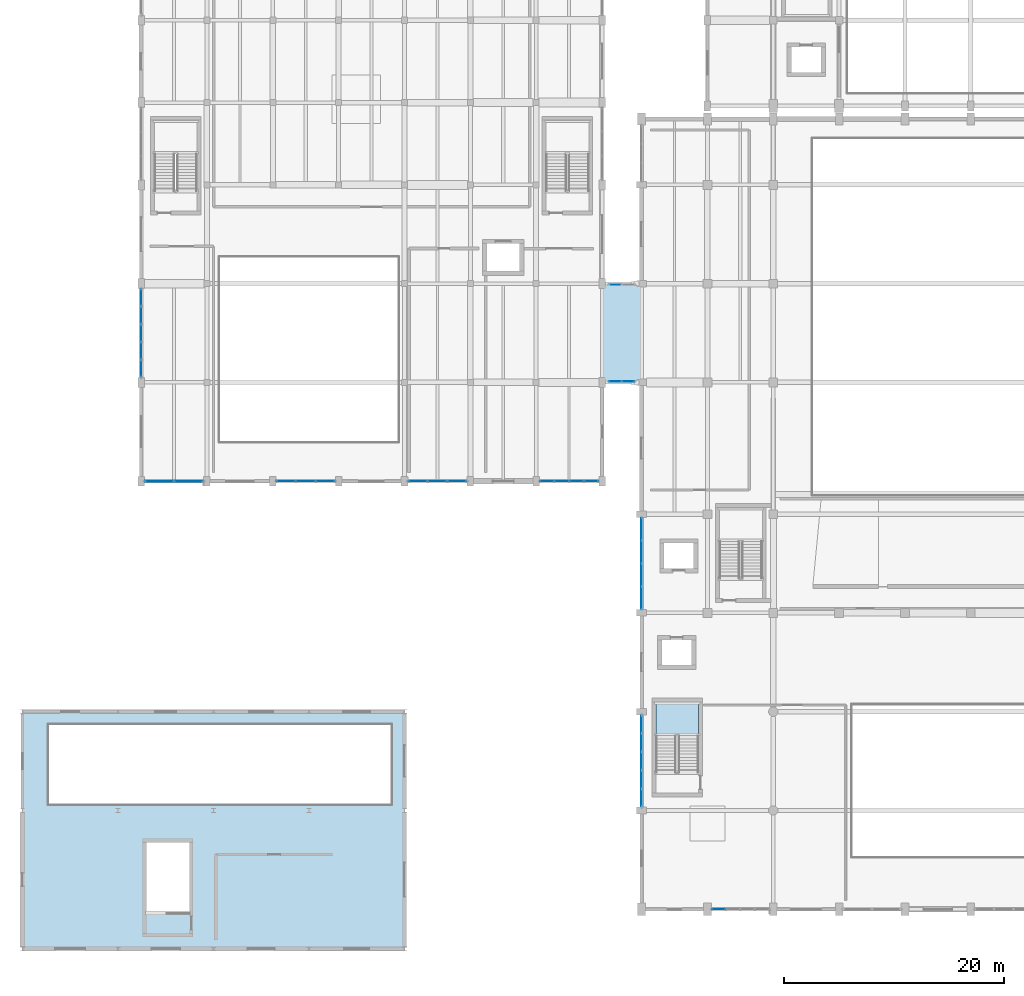
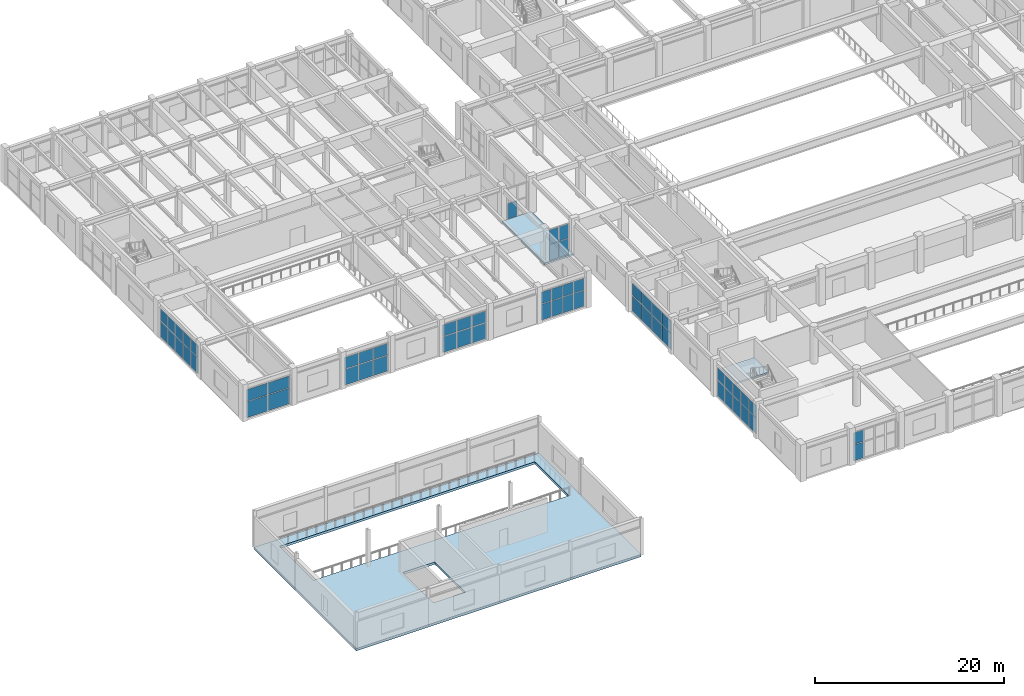
# One storey, part 61 of 96: 59 plates, 3 slabs, 11 elements without a shape of their own.
"""IFC4 building model written with IfcOpenShell, lengths in metres."""

from ifc_helpers import new_model, si_unit, direction, frame, origin, origin_2d, place, context, subcontext, project, spatial, polyline, rectangle, outline, extrude, material, layer, layer_set, type_object, element, aggregate, save


model = new_model("IFC4")

# Units and contexts
model_context = context("Model", 3, precision=1e-05, world=origin(), true_north=direction((0.0, 1.0)))
body_context = subcontext(model_context, "Body", "Model", "MODEL_VIEW")
ifc_project = project(units=[si_unit("LENGTHUNIT", "METRE"), si_unit("AREAUNIT", "SQUARE_METRE"), si_unit("VOLUMEUNIT", "CUBIC_METRE"), si_unit("PLANEANGLEUNIT", "RADIAN"), si_unit("MASSUNIT", "GRAM", prefix="KILO")], contexts=[model_context])

# Site, building, storey
site_placement = place(None, origin())
site = spatial("IfcSite", under=ifc_project, at=site_placement, CompositionType="ELEMENT")
building_placement = place(site_placement, origin())
building = spatial("IfcBuilding", under=site, at=building_placement, Name="Vaelkrest Opera House", CompositionType="ELEMENT")
storey_placement = place(building_placement, frame((0.0, 0.0, 5.39990234375)))
storey = spatial("IfcBuildingStorey", under=building, at=storey_placement, Name="L01", CompositionType="ELEMENT", Elevation=5.39990234375)

# Curtain wall, plates
ifc_material_1 = material(Name="Dark bronze anodized aluminium", Category="aluminium")
ifc_layer_1 = layer(ifc_material_1, 0.18994140625)
ifc_layer_set_1 = layer_set([ifc_layer_1], Name="Dark bronze anodized aluminium")
curtain_wall_type_1 = type_object("IfcCurtainWallType", Name="CW02", PredefinedType="NOTDEFINED", material=ifc_layer_set_1)
curtain_wall_1_placement = place(storey_placement, origin())
curtain_wall_1 = element("IfcCurtainWall", 1, at=curtain_wall_1_placement, inside=storey, type_object=curtain_wall_type_1, Name="Curtain wall CW-L01-024", PredefinedType="NOTDEFINED")
ifc_material_2 = material(Name="Double low-E insulated glazing", Category="glass")
ifc_layer_2 = layer(ifc_material_2, 0.030029296875)
ifc_layer_set_2 = layer_set([ifc_layer_2], Name="Double low-E insulated glazing")
plate_type_1 = type_object("IfcPlateType", Name="CWP02", PredefinedType="CURTAIN_PANEL", material=ifc_layer_set_2)
plate_1_placement = place(storey_placement, frame((-22.971435546875, -55.800048828125, 0.070068359375), z_axis=(0.0, 0.0, 1.0), x_axis=(-1.0, 0.0, 0.0)))
plate_1 = element("IfcPlate", 2, at=plate_1_placement, type_object=plate_type_1, Name="CW02 panel 4.1", PredefinedType="CURTAIN_PANEL", context=body_context, shape_type="SweptSolid", body=[
    extrude(rectangle(XDim=1.220947265625, YDim=0.030029296875, at=origin_2d()), origin(), (0.0, 0.0, 1.0), 2.044921875),
])
plate_2_placement = place(storey_placement, frame((-22.971435546875, -55.800048828125, 2.18505859375), z_axis=(0.0, 0.0, 1.0), x_axis=(-1.0, 0.0, 0.0)))
plate_2 = element("IfcPlate", 3, at=plate_2_placement, type_object=plate_type_1, Name="CW02 panel 4.2", PredefinedType="CURTAIN_PANEL", context=body_context, shape_type="SweptSolid", body=[
    extrude(rectangle(XDim=1.220947265625, YDim=0.030029296875, at=origin_2d()), origin(), (0.0, 0.0, 1.0), 1.485107421875),
])
aggregate(curtain_wall_1, [plate_1, plate_2])

curtain_wall_2_placement = place(storey_placement, origin())
curtain_wall_2 = element("IfcCurtainWall", 4, at=curtain_wall_2_placement, inside=storey, type_object=curtain_wall_type_1, Name="Curtain wall CW-L01-099", PredefinedType="NOTDEFINED")
plate_3_placement = place(storey_placement, frame((-34.591064453125, -16.800048828125, 0.070068359375), z_axis=(0.0, 0.0, 1.0), x_axis=(-1.0, 0.0, 0.0)))
plate_3 = element("IfcPlate", 5, at=plate_3_placement, type_object=plate_type_1, Name="CW02 panel 1.1", PredefinedType="CURTAIN_PANEL", context=body_context, shape_type="SweptSolid", body=[
    extrude(rectangle(XDim=1.24609375, YDim=0.030029296875, at=origin_2d()), origin(), (0.0, 0.0, 1.0), 2.044921875),
])
plate_4_placement = place(storey_placement, frame((-34.591064453125, -16.800048828125, 2.18505859375), z_axis=(0.0, 0.0, 1.0), x_axis=(-1.0, 0.0, 0.0)))
plate_4 = element("IfcPlate", 6, at=plate_4_placement, type_object=plate_type_1, Name="CW02 panel 1.2", PredefinedType="CURTAIN_PANEL", context=body_context, shape_type="SweptSolid", body=[
    extrude(rectangle(XDim=1.24609375, YDim=0.030029296875, at=origin_2d()), origin(), (0.0, 0.0, 1.0), 1.485107421875),
])
plate_5_placement = place(storey_placement, frame((-35.924560546875, -16.800048828125, 0.070068359375), z_axis=(0.0, 0.0, 1.0), x_axis=(-1.0, 0.0, 0.0)))
plate_5 = element("IfcPlate", 7, at=plate_5_placement, type_object=plate_type_1, Name="CW02 panel 2.1", PredefinedType="CURTAIN_PANEL", context=body_context, shape_type="SweptSolid", body=[
    extrude(rectangle(XDim=1.281005859375, YDim=0.030029296875, at=origin_2d()), origin(), (0.0, 0.0, 1.0), 2.044921875),
])
plate_6_placement = place(storey_placement, frame((-35.924560546875, -16.800048828125, 2.18505859375), z_axis=(0.0, 0.0, 1.0), x_axis=(-1.0, 0.0, 0.0)))
plate_6 = element("IfcPlate", 8, at=plate_6_placement, type_object=plate_type_1, Name="CW02 panel 2.2", PredefinedType="CURTAIN_PANEL", context=body_context, shape_type="SweptSolid", body=[
    extrude(rectangle(XDim=1.281005859375, YDim=0.030029296875, at=origin_2d()), origin(), (0.0, 0.0, 1.0), 1.485107421875),
])
plate_7_placement = place(storey_placement, frame((-37.275390625, -16.800048828125, 0.070068359375), z_axis=(0.0, 0.0, 1.0), x_axis=(-1.0, 0.0, 0.0)))
plate_7 = element("IfcPlate", 9, at=plate_7_placement, type_object=plate_type_1, Name="CW02 panel 3.1", PredefinedType="CURTAIN_PANEL", context=body_context, shape_type="SweptSolid", body=[
    extrude(rectangle(XDim=1.281005859375, YDim=0.030029296875, at=origin_2d()), origin(), (0.0, 0.0, 1.0), 2.044921875),
])
plate_8_placement = place(storey_placement, frame((-37.275390625, -16.800048828125, 2.18505859375), z_axis=(0.0, 0.0, 1.0), x_axis=(-1.0, 0.0, 0.0)))
plate_8 = element("IfcPlate", 10, at=plate_8_placement, type_object=plate_type_1, Name="CW02 panel 3.2", PredefinedType="CURTAIN_PANEL", context=body_context, shape_type="SweptSolid", body=[
    extrude(rectangle(XDim=1.281005859375, YDim=0.030029296875, at=origin_2d()), origin(), (0.0, 0.0, 1.0), 1.485107421875),
])
plate_9_placement = place(storey_placement, frame((-38.60888671875, -16.800048828125, 0.070068359375), z_axis=(0.0, 0.0, 1.0), x_axis=(-1.0, 0.0, 0.0)))
plate_9 = element("IfcPlate", 11, at=plate_9_placement, type_object=plate_type_1, Name="CW02 panel 4.1", PredefinedType="CURTAIN_PANEL", context=body_context, shape_type="SweptSolid", body=[
    extrude(rectangle(XDim=1.24609375, YDim=0.030029296875, at=origin_2d()), origin(), (0.0, 0.0, 1.0), 2.044921875),
])
plate_10_placement = place(storey_placement, frame((-38.60888671875, -16.800048828125, 2.18505859375), z_axis=(0.0, 0.0, 1.0), x_axis=(-1.0, 0.0, 0.0)))
plate_10 = element("IfcPlate", 12, at=plate_10_placement, type_object=plate_type_1, Name="CW02 panel 4.2", PredefinedType="CURTAIN_PANEL", context=body_context, shape_type="SweptSolid", body=[
    extrude(rectangle(XDim=1.24609375, YDim=0.030029296875, at=origin_2d()), origin(), (0.0, 0.0, 1.0), 1.485107421875),
])
aggregate(curtain_wall_2, [plate_3, plate_4, plate_5, plate_6, plate_7, plate_8, plate_9, plate_10])

curtain_wall_3_placement = place(storey_placement, origin())
curtain_wall_3 = element("IfcCurtainWall", 13, at=curtain_wall_3_placement, inside=storey, type_object=curtain_wall_type_1, Name="Curtain wall CW-L01-176", PredefinedType="NOTDEFINED")
plate_11_placement = place(storey_placement, frame((-31.20751953125, -7.699951171875, 0.070068359375), z_axis=(0.0, 0.0, 1.0), x_axis=(-1.0, 0.0, 0.0)))
plate_11 = element("IfcPlate", 14, at=plate_11_placement, type_object=plate_type_1, Name="CW02 panel 1.1", PredefinedType="CURTAIN_PANEL", context=body_context, shape_type="SweptSolid", body=[
    extrude(rectangle(XDim=1.114990234375, YDim=0.030029296875, at=origin_2d()), origin(), (0.0, 0.0, 1.0), 2.044921875),
])
plate_12_placement = place(storey_placement, frame((-31.20751953125, -7.699951171875, 2.18505859375), z_axis=(0.0, 0.0, 1.0), x_axis=(-1.0, 0.0, 0.0)))
plate_12 = element("IfcPlate", 15, at=plate_12_placement, type_object=plate_type_1, Name="CW02 panel 1.2", PredefinedType="CURTAIN_PANEL", context=body_context, shape_type="SweptSolid", body=[
    extrude(rectangle(XDim=1.114990234375, YDim=0.030029296875, at=origin_2d()), origin(), (0.0, 0.0, 1.0), 1.824951171875),
])
plate_13_placement = place(storey_placement, frame((-32.392578125, -7.699951171875, 0.070068359375), z_axis=(0.0, 0.0, 1.0), x_axis=(-1.0, 0.0, 0.0)))
plate_13 = element("IfcPlate", 16, at=plate_13_placement, type_object=plate_type_1, Name="CW02 panel 2.1", PredefinedType="CURTAIN_PANEL", context=body_context, shape_type="SweptSolid", body=[
    extrude(rectangle(XDim=1.114990234375, YDim=0.030029296875, at=origin_2d()), origin(), (0.0, 0.0, 1.0), 2.044921875),
])
plate_14_placement = place(storey_placement, frame((-32.392578125, -7.699951171875, 2.18505859375), z_axis=(0.0, 0.0, 1.0), x_axis=(-1.0, 0.0, 0.0)))
plate_14 = element("IfcPlate", 17, at=plate_14_placement, type_object=plate_type_1, Name="CW02 panel 2.2", PredefinedType="CURTAIN_PANEL", context=body_context, shape_type="SweptSolid", body=[
    extrude(rectangle(XDim=1.114990234375, YDim=0.030029296875, at=origin_2d()), origin(), (0.0, 0.0, 1.0), 1.824951171875),
])
aggregate(curtain_wall_3, [plate_11, plate_12, plate_13, plate_14])

# Curtain wall, plate
curtain_wall_4_placement = place(storey_placement, origin())
curtain_wall_4 = element("IfcCurtainWall", 18, at=curtain_wall_4_placement, inside=storey, type_object=curtain_wall_type_1, Name="Curtain wall CW-L01-177", PredefinedType="NOTDEFINED")
plate_15_placement = place(storey_placement, frame((-32.392578125, 1.10009765625, 0.070068359375), z_axis=(0.0, 0.0, 1.0), x_axis=(1.0, 0.0, 0.0)))
plate_15 = element("IfcPlate", 19, at=plate_15_placement, type_object=plate_type_1, Name="CW02 panel 1.1", PredefinedType="CURTAIN_PANEL", context=body_context, shape_type="SweptSolid", body=[
    extrude(rectangle(XDim=1.114990234375, YDim=0.030029296875, at=origin_2d()), origin(), (0.0, 0.0, 1.0), 2.044921875),
])
aggregate(curtain_wall_4, [plate_15])

# Curtain wall, plates
ifc_layer_3 = layer(ifc_material_1, 0.2099609375)
ifc_layer_set_3 = layer_set([ifc_layer_3], Name="Dark bronze anodized aluminium")
curtain_wall_type_2 = type_object("IfcCurtainWallType", Name="CW04", PredefinedType="NOTDEFINED", material=ifc_layer_set_3)
curtain_wall_5_placement = place(storey_placement, origin())
curtain_wall_5 = element("IfcCurtainWall", 20, at=curtain_wall_5_placement, inside=storey, type_object=curtain_wall_type_2, Name="Curtain wall CW-L01-025", PredefinedType="NOTDEFINED")
ifc_layer_4 = layer(ifc_material_2, 0.0380859375)
ifc_layer_set_4 = layer_set([ifc_layer_4], Name="Double low-E insulated glazing")
plate_type_2 = type_object("IfcPlateType", Name="CWP04", PredefinedType="CURTAIN_PANEL", material=ifc_layer_set_4)
plate_16_placement = place(storey_placement, frame((-30.0, -45.6416015625, 0.080078125), z_axis=(0.0, 0.0, 1.0), x_axis=(0.0, 1.0, 0.0)))
plate_16 = element("IfcPlate", 21, at=plate_16_placement, type_object=plate_type_2, Name="CW04 panel 1.1", PredefinedType="CURTAIN_PANEL", context=body_context, shape_type="SweptSolid", body=[
    extrude(rectangle(XDim=1.560791015625, YDim=0.0380859375, at=origin_2d()), origin(), (0.0, 0.0, 1.0), 2.030029296875),
])
plate_17_placement = place(storey_placement, frame((-30.0, -45.6416015625, 2.18994140625), z_axis=(0.0, 0.0, 1.0), x_axis=(0.0, 1.0, 0.0)))
plate_17 = element("IfcPlate", 22, at=plate_17_placement, type_object=plate_type_2, Name="CW04 panel 1.2", PredefinedType="CURTAIN_PANEL", context=body_context, shape_type="SweptSolid", body=[
    extrude(rectangle(XDim=1.560791015625, YDim=0.0380859375, at=origin_2d()), origin(), (0.0, 0.0, 1.0), 1.553955078125),
])
plate_18_placement = place(storey_placement, frame((-30.0, -43.980712890625, 0.080078125), z_axis=(0.0, 0.0, 1.0), x_axis=(0.0, 1.0, 0.0)))
plate_18 = element("IfcPlate", 23, at=plate_18_placement, type_object=plate_type_2, Name="CW04 panel 2.1", PredefinedType="CURTAIN_PANEL", context=body_context, shape_type="SweptSolid", body=[
    extrude(rectangle(XDim=1.600830078125, YDim=0.0380859375, at=origin_2d()), origin(), (0.0, 0.0, 1.0), 2.030029296875),
])
plate_19_placement = place(storey_placement, frame((-30.0, -43.980712890625, 2.18994140625), z_axis=(0.0, 0.0, 1.0), x_axis=(0.0, 1.0, 0.0)))
plate_19 = element("IfcPlate", 24, at=plate_19_placement, type_object=plate_type_2, Name="CW04 panel 2.2", PredefinedType="CURTAIN_PANEL", context=body_context, shape_type="SweptSolid", body=[
    extrude(rectangle(XDim=1.600830078125, YDim=0.0380859375, at=origin_2d()), origin(), (0.0, 0.0, 1.0), 1.553955078125),
])
plate_20_placement = place(storey_placement, frame((-30.0, -42.300048828125, 0.080078125), z_axis=(0.0, 0.0, 1.0), x_axis=(0.0, 1.0, 0.0)))
plate_20 = element("IfcPlate", 25, at=plate_20_placement, type_object=plate_type_2, Name="CW04 panel 3.1", PredefinedType="CURTAIN_PANEL", context=body_context, shape_type="SweptSolid", body=[
    extrude(rectangle(XDim=1.600830078125, YDim=0.0380859375, at=origin_2d()), origin(), (0.0, 0.0, 1.0), 2.030029296875),
])
plate_21_placement = place(storey_placement, frame((-30.0, -42.300048828125, 2.18994140625), z_axis=(0.0, 0.0, 1.0), x_axis=(0.0, 1.0, 0.0)))
plate_21 = element("IfcPlate", 26, at=plate_21_placement, type_object=plate_type_2, Name="CW04 panel 3.2", PredefinedType="CURTAIN_PANEL", context=body_context, shape_type="SweptSolid", body=[
    extrude(rectangle(XDim=1.600830078125, YDim=0.0380859375, at=origin_2d()), origin(), (0.0, 0.0, 1.0), 1.553955078125),
])
plate_22_placement = place(storey_placement, frame((-30.0, -40.619140625, 0.080078125), z_axis=(0.0, 0.0, 1.0), x_axis=(0.0, 1.0, 0.0)))
plate_22 = element("IfcPlate", 27, at=plate_22_placement, type_object=plate_type_2, Name="CW04 panel 4.1", PredefinedType="CURTAIN_PANEL", context=body_context, shape_type="SweptSolid", body=[
    extrude(rectangle(XDim=1.600830078125, YDim=0.0380859375, at=origin_2d()), origin(), (0.0, 0.0, 1.0), 2.030029296875),
])
plate_23_placement = place(storey_placement, frame((-30.0, -40.619140625, 2.18994140625), z_axis=(0.0, 0.0, 1.0), x_axis=(0.0, 1.0, 0.0)))
plate_23 = element("IfcPlate", 28, at=plate_23_placement, type_object=plate_type_2, Name="CW04 panel 4.2", PredefinedType="CURTAIN_PANEL", context=body_context, shape_type="SweptSolid", body=[
    extrude(rectangle(XDim=1.600830078125, YDim=0.0380859375, at=origin_2d()), origin(), (0.0, 0.0, 1.0), 1.553955078125),
])
plate_24_placement = place(storey_placement, frame((-30.0, -38.95849609375, 0.080078125), z_axis=(0.0, 0.0, 1.0), x_axis=(0.0, 1.0, 0.0)))
plate_24 = element("IfcPlate", 29, at=plate_24_placement, type_object=plate_type_2, Name="CW04 panel 5.1", PredefinedType="CURTAIN_PANEL", context=body_context, shape_type="SweptSolid", body=[
    extrude(rectangle(XDim=1.560791015625, YDim=0.0380859375, at=origin_2d()), origin(), (0.0, 0.0, 1.0), 2.030029296875),
])
plate_25_placement = place(storey_placement, frame((-30.0, -38.95849609375, 2.18994140625), z_axis=(0.0, 0.0, 1.0), x_axis=(0.0, 1.0, 0.0)))
plate_25 = element("IfcPlate", 30, at=plate_25_placement, type_object=plate_type_2, Name="CW04 panel 5.2", PredefinedType="CURTAIN_PANEL", context=body_context, shape_type="SweptSolid", body=[
    extrude(rectangle(XDim=1.560791015625, YDim=0.0380859375, at=origin_2d()), origin(), (0.0, 0.0, 1.0), 1.553955078125),
])
aggregate(curtain_wall_5, [plate_16, plate_17, plate_18, plate_19, plate_20, plate_21, plate_22, plate_23, plate_24, plate_25])

curtain_wall_6_placement = place(storey_placement, origin())
curtain_wall_6 = element("IfcCurtainWall", 31, at=curtain_wall_6_placement, inside=storey, type_object=curtain_wall_type_2, Name="Curtain wall CW-L01-100", PredefinedType="NOTDEFINED")
plate_26_placement = place(storey_placement, frame((-46.818603515625, -16.800048828125, 0.080078125), z_axis=(0.0, 0.0, 1.0), x_axis=(-1.0, 0.0, 0.0)))
plate_26 = element("IfcPlate", 32, at=plate_26_placement, type_object=plate_type_2, Name="CW04 panel 1.1", PredefinedType="CURTAIN_PANEL", context=body_context, shape_type="SweptSolid", body=[
    extrude(rectangle(XDim=1.681396484375, YDim=0.0380859375, at=origin_2d()), origin(), (0.0, 0.0, 1.0), 2.030029296875),
])
plate_27_placement = place(storey_placement, frame((-46.818603515625, -16.800048828125, 2.18994140625), z_axis=(0.0, 0.0, 1.0), x_axis=(-1.0, 0.0, 0.0)))
plate_27 = element("IfcPlate", 33, at=plate_27_placement, type_object=plate_type_2, Name="CW04 panel 1.2", PredefinedType="CURTAIN_PANEL", context=body_context, shape_type="SweptSolid", body=[
    extrude(rectangle(XDim=1.681396484375, YDim=0.0380859375, at=origin_2d()), origin(), (0.0, 0.0, 1.0), 1.469970703125),
])
plate_28_placement = place(storey_placement, frame((-48.60009765625, -16.800048828125, 0.080078125), z_axis=(0.0, 0.0, 1.0), x_axis=(-1.0, 0.0, 0.0)))
plate_28 = element("IfcPlate", 34, at=plate_28_placement, type_object=plate_type_2, Name="CW04 panel 2.1", PredefinedType="CURTAIN_PANEL", context=body_context, shape_type="SweptSolid", body=[
    extrude(rectangle(XDim=1.721435546875, YDim=0.0380859375, at=origin_2d()), origin(), (0.0, 0.0, 1.0), 2.030029296875),
])
plate_29_placement = place(storey_placement, frame((-48.60009765625, -16.800048828125, 2.18994140625), z_axis=(0.0, 0.0, 1.0), x_axis=(-1.0, 0.0, 0.0)))
plate_29 = element("IfcPlate", 35, at=plate_29_placement, type_object=plate_type_2, Name="CW04 panel 2.2", PredefinedType="CURTAIN_PANEL", context=body_context, shape_type="SweptSolid", body=[
    extrude(rectangle(XDim=1.721435546875, YDim=0.0380859375, at=origin_2d()), origin(), (0.0, 0.0, 1.0), 1.469970703125),
])
plate_30_placement = place(storey_placement, frame((-50.38134765625, -16.800048828125, 0.080078125), z_axis=(0.0, 0.0, 1.0), x_axis=(-1.0, 0.0, 0.0)))
plate_30 = element("IfcPlate", 36, at=plate_30_placement, type_object=plate_type_2, Name="CW04 panel 3.1", PredefinedType="CURTAIN_PANEL", context=body_context, shape_type="SweptSolid", body=[
    extrude(rectangle(XDim=1.681396484375, YDim=0.0380859375, at=origin_2d()), origin(), (0.0, 0.0, 1.0), 2.030029296875),
])
plate_31_placement = place(storey_placement, frame((-50.38134765625, -16.800048828125, 2.18994140625), z_axis=(0.0, 0.0, 1.0), x_axis=(-1.0, 0.0, 0.0)))
plate_31 = element("IfcPlate", 37, at=plate_31_placement, type_object=plate_type_2, Name="CW04 panel 3.2", PredefinedType="CURTAIN_PANEL", context=body_context, shape_type="SweptSolid", body=[
    extrude(rectangle(XDim=1.681396484375, YDim=0.0380859375, at=origin_2d()), origin(), (0.0, 0.0, 1.0), 1.469970703125),
])
aggregate(curtain_wall_6, [plate_26, plate_27, plate_28, plate_29, plate_30, plate_31])

curtain_wall_7_placement = place(storey_placement, origin())
curtain_wall_7 = element("IfcCurtainWall", 38, at=curtain_wall_7_placement, inside=storey, type_object=curtain_wall_type_2, Name="Curtain wall CW-L01-103", PredefinedType="NOTDEFINED")
plate_32_placement = place(storey_placement, frame((-75.60009765625, -6.521484375, 0.080078125), z_axis=(0.0, 0.0, 1.0), x_axis=(0.0, 1.0, 0.0)))
plate_32 = element("IfcPlate", 39, at=plate_32_placement, type_object=plate_type_2, Name="CW04 panel 1.1", PredefinedType="CURTAIN_PANEL", context=body_context, shape_type="SweptSolid", body=[
    extrude(rectangle(XDim=1.500732421875, YDim=0.0380859375, at=origin_2d()), origin(), (0.0, 0.0, 1.0), 2.030029296875),
])
plate_33_placement = place(storey_placement, frame((-75.60009765625, -6.521484375, 2.18994140625), z_axis=(0.0, 0.0, 1.0), x_axis=(0.0, 1.0, 0.0)))
plate_33 = element("IfcPlate", 40, at=plate_33_placement, type_object=plate_type_2, Name="CW04 panel 1.2", PredefinedType="CURTAIN_PANEL", context=body_context, shape_type="SweptSolid", body=[
    extrude(rectangle(XDim=1.500732421875, YDim=0.0380859375, at=origin_2d()), origin(), (0.0, 0.0, 1.0), 1.553955078125),
])
plate_34_placement = place(storey_placement, frame((-75.60009765625, -4.9208984375, 0.080078125), z_axis=(0.0, 0.0, 1.0), x_axis=(0.0, 1.0, 0.0)))
plate_34 = element("IfcPlate", 41, at=plate_34_placement, type_object=plate_type_2, Name="CW04 panel 2.1", PredefinedType="CURTAIN_PANEL", context=body_context, shape_type="SweptSolid", body=[
    extrude(rectangle(XDim=1.540771484375, YDim=0.0380859375, at=origin_2d()), origin(), (0.0, 0.0, 1.0), 2.030029296875),
])
plate_35_placement = place(storey_placement, frame((-75.60009765625, -4.9208984375, 2.18994140625), z_axis=(0.0, 0.0, 1.0), x_axis=(0.0, 1.0, 0.0)))
plate_35 = element("IfcPlate", 42, at=plate_35_placement, type_object=plate_type_2, Name="CW04 panel 2.2", PredefinedType="CURTAIN_PANEL", context=body_context, shape_type="SweptSolid", body=[
    extrude(rectangle(XDim=1.540771484375, YDim=0.0380859375, at=origin_2d()), origin(), (0.0, 0.0, 1.0), 1.553955078125),
])
plate_36_placement = place(storey_placement, frame((-75.60009765625, -3.300048828125, 0.080078125), z_axis=(0.0, 0.0, 1.0), x_axis=(0.0, 1.0, 0.0)))
plate_36 = element("IfcPlate", 43, at=plate_36_placement, type_object=plate_type_2, Name="CW04 panel 3.1", PredefinedType="CURTAIN_PANEL", context=body_context, shape_type="SweptSolid", body=[
    extrude(rectangle(XDim=1.540771484375, YDim=0.0380859375, at=origin_2d()), origin(), (0.0, 0.0, 1.0), 2.030029296875),
])
plate_37_placement = place(storey_placement, frame((-75.60009765625, -3.300048828125, 2.18994140625), z_axis=(0.0, 0.0, 1.0), x_axis=(0.0, 1.0, 0.0)))
plate_37 = element("IfcPlate", 44, at=plate_37_placement, type_object=plate_type_2, Name="CW04 panel 3.2", PredefinedType="CURTAIN_PANEL", context=body_context, shape_type="SweptSolid", body=[
    extrude(rectangle(XDim=1.540771484375, YDim=0.0380859375, at=origin_2d()), origin(), (0.0, 0.0, 1.0), 1.553955078125),
])
plate_38_placement = place(storey_placement, frame((-75.60009765625, -1.67919921875, 0.080078125), z_axis=(0.0, 0.0, 1.0), x_axis=(0.0, 1.0, 0.0)))
plate_38 = element("IfcPlate", 45, at=plate_38_placement, type_object=plate_type_2, Name="CW04 panel 4.1", PredefinedType="CURTAIN_PANEL", context=body_context, shape_type="SweptSolid", body=[
    extrude(rectangle(XDim=1.540771484375, YDim=0.0380859375, at=origin_2d()), origin(), (0.0, 0.0, 1.0), 2.030029296875),
])
plate_39_placement = place(storey_placement, frame((-75.60009765625, -1.67919921875, 2.18994140625), z_axis=(0.0, 0.0, 1.0), x_axis=(0.0, 1.0, 0.0)))
plate_39 = element("IfcPlate", 46, at=plate_39_placement, type_object=plate_type_2, Name="CW04 panel 4.2", PredefinedType="CURTAIN_PANEL", context=body_context, shape_type="SweptSolid", body=[
    extrude(rectangle(XDim=1.540771484375, YDim=0.0380859375, at=origin_2d()), origin(), (0.0, 0.0, 1.0), 1.553955078125),
])
plate_40_placement = place(storey_placement, frame((-75.60009765625, -0.078369140625, 0.080078125), z_axis=(0.0, 0.0, 1.0), x_axis=(0.0, 1.0, 0.0)))
plate_40 = element("IfcPlate", 47, at=plate_40_placement, type_object=plate_type_2, Name="CW04 panel 5.1", PredefinedType="CURTAIN_PANEL", context=body_context, shape_type="SweptSolid", body=[
    extrude(rectangle(XDim=1.500732421875, YDim=0.0380859375, at=origin_2d()), origin(), (0.0, 0.0, 1.0), 2.030029296875),
])
plate_41_placement = place(storey_placement, frame((-75.60009765625, -0.078369140625, 2.18994140625), z_axis=(0.0, 0.0, 1.0), x_axis=(0.0, 1.0, 0.0)))
plate_41 = element("IfcPlate", 48, at=plate_41_placement, type_object=plate_type_2, Name="CW04 panel 5.2", PredefinedType="CURTAIN_PANEL", context=body_context, shape_type="SweptSolid", body=[
    extrude(rectangle(XDim=1.500732421875, YDim=0.0380859375, at=origin_2d()), origin(), (0.0, 0.0, 1.0), 1.553955078125),
])
aggregate(curtain_wall_7, [plate_32, plate_33, plate_34, plate_35, plate_36, plate_37, plate_38, plate_39, plate_40, plate_41])

ifc_layer_5 = layer(ifc_material_1, 0.22998046875)
ifc_layer_set_5 = layer_set([ifc_layer_5], Name="Dark bronze anodized aluminium")
curtain_wall_type_3 = type_object("IfcCurtainWallType", Name="CW06", PredefinedType="NOTDEFINED", material=ifc_layer_set_5)
curtain_wall_8_placement = place(storey_placement, origin())
curtain_wall_8 = element("IfcCurtainWall", 49, at=curtain_wall_8_placement, inside=storey, type_object=curtain_wall_type_3, Name="Curtain wall CW-L01-026", PredefinedType="NOTDEFINED")
ifc_material_3 = material(Name="Dark bronze anodized aluminium spandrel", Category="aluminium")
ifc_layer_6 = layer(ifc_material_3, 0.0458984375)
ifc_layer_set_6 = layer_set([ifc_layer_6], Name="Dark bronze anodized aluminium spandrel")
plate_type_3 = type_object("IfcPlateType", Name="CWP06", PredefinedType="CURTAIN_PANEL", material=ifc_layer_set_6)
plate_42_placement = place(storey_placement, frame((-30.0, -27.43408203125, 0.080078125), z_axis=(0.0, 0.0, 1.0), x_axis=(0.0, 1.0, 0.0)))
plate_42 = element("IfcPlate", 50, at=plate_42_placement, type_object=plate_type_3, Name="CW06 panel 1.1", PredefinedType="CURTAIN_PANEL", context=body_context, shape_type="SweptSolid", body=[
    extrude(rectangle(XDim=1.99609375, YDim=0.0458984375, at=origin_2d()), origin(), (0.0, 0.0, 1.0), 2.030029296875),
])
plate_43_placement = place(storey_placement, frame((-30.0, -27.43408203125, 2.18994140625), z_axis=(0.0, 0.0, 1.0), x_axis=(0.0, 1.0, 0.0)))
plate_43 = element("IfcPlate", 51, at=plate_43_placement, type_object=plate_type_3, Name="CW06 panel 1.2", PredefinedType="CURTAIN_PANEL", context=body_context, shape_type="SweptSolid", body=[
    extrude(rectangle(XDim=1.99609375, YDim=0.0458984375, at=origin_2d()), origin(), (0.0, 0.0, 1.0), 1.553955078125),
])
plate_44_placement = place(storey_placement, frame((-30.0, -25.3505859375, 0.080078125), z_axis=(0.0, 0.0, 1.0), x_axis=(0.0, 1.0, 0.0)))
plate_44 = element("IfcPlate", 52, at=plate_44_placement, type_object=plate_type_3, Name="CW06 panel 2.1", PredefinedType="CURTAIN_PANEL", context=body_context, shape_type="SweptSolid", body=[
    extrude(rectangle(XDim=2.031005859375, YDim=0.0458984375, at=origin_2d()), origin(), (0.0, 0.0, 1.0), 2.030029296875),
])
plate_45_placement = place(storey_placement, frame((-30.0, -25.3505859375, 2.18994140625), z_axis=(0.0, 0.0, 1.0), x_axis=(0.0, 1.0, 0.0)))
plate_45 = element("IfcPlate", 53, at=plate_45_placement, type_object=plate_type_3, Name="CW06 panel 2.2", PredefinedType="CURTAIN_PANEL", context=body_context, shape_type="SweptSolid", body=[
    extrude(rectangle(XDim=2.031005859375, YDim=0.0458984375, at=origin_2d()), origin(), (0.0, 0.0, 1.0), 1.553955078125),
])
plate_46_placement = place(storey_placement, frame((-30.0, -23.24951171875, 0.080078125), z_axis=(0.0, 0.0, 1.0), x_axis=(0.0, 1.0, 0.0)))
plate_46 = element("IfcPlate", 54, at=plate_46_placement, type_object=plate_type_3, Name="CW06 panel 3.1", PredefinedType="CURTAIN_PANEL", context=body_context, shape_type="SweptSolid", body=[
    extrude(rectangle(XDim=2.031005859375, YDim=0.0458984375, at=origin_2d()), origin(), (0.0, 0.0, 1.0), 2.030029296875),
])
plate_47_placement = place(storey_placement, frame((-30.0, -23.24951171875, 2.18994140625), z_axis=(0.0, 0.0, 1.0), x_axis=(0.0, 1.0, 0.0)))
plate_47 = element("IfcPlate", 55, at=plate_47_placement, type_object=plate_type_3, Name="CW06 panel 3.2", PredefinedType="CURTAIN_PANEL", context=body_context, shape_type="SweptSolid", body=[
    extrude(rectangle(XDim=2.031005859375, YDim=0.0458984375, at=origin_2d()), origin(), (0.0, 0.0, 1.0), 1.553955078125),
])
plate_48_placement = place(storey_placement, frame((-30.0, -21.166015625, 0.080078125), z_axis=(0.0, 0.0, 1.0), x_axis=(0.0, 1.0, 0.0)))
plate_48 = element("IfcPlate", 56, at=plate_48_placement, type_object=plate_type_3, Name="CW06 panel 4.1", PredefinedType="CURTAIN_PANEL", context=body_context, shape_type="SweptSolid", body=[
    extrude(rectangle(XDim=1.99609375, YDim=0.0458984375, at=origin_2d()), origin(), (0.0, 0.0, 1.0), 2.030029296875),
])
plate_49_placement = place(storey_placement, frame((-30.0, -21.166015625, 2.18994140625), z_axis=(0.0, 0.0, 1.0), x_axis=(0.0, 1.0, 0.0)))
plate_49 = element("IfcPlate", 57, at=plate_49_placement, type_object=plate_type_3, Name="CW06 panel 4.2", PredefinedType="CURTAIN_PANEL", context=body_context, shape_type="SweptSolid", body=[
    extrude(rectangle(XDim=1.99609375, YDim=0.0458984375, at=origin_2d()), origin(), (0.0, 0.0, 1.0), 1.553955078125),
])
aggregate(curtain_wall_8, [plate_42, plate_43, plate_44, plate_45, plate_46, plate_47, plate_48, plate_49])

curtain_wall_9_placement = place(storey_placement, origin())
curtain_wall_9 = element("IfcCurtainWall", 58, at=curtain_wall_9_placement, inside=storey, type_object=curtain_wall_type_3, Name="Curtain wall CW-L01-101", PredefinedType="NOTDEFINED")
plate_50_placement = place(storey_placement, frame((-58.816162109375, -16.800048828125, 0.080078125), z_axis=(0.0, 0.0, 1.0), x_axis=(-1.0, 0.0, 0.0)))
plate_50 = element("IfcPlate", 59, at=plate_50_placement, type_object=plate_type_3, Name="CW06 panel 1.1", PredefinedType="CURTAIN_PANEL", context=body_context, shape_type="SweptSolid", body=[
    extrude(rectangle(XDim=1.6962890625, YDim=0.0458984375, at=origin_2d()), origin(), (0.0, 0.0, 1.0), 2.030029296875),
])
plate_51_placement = place(storey_placement, frame((-58.816162109375, -16.800048828125, 2.18994140625), z_axis=(0.0, 0.0, 1.0), x_axis=(-1.0, 0.0, 0.0)))
plate_51 = element("IfcPlate", 60, at=plate_51_placement, type_object=plate_type_3, Name="CW06 panel 1.2", PredefinedType="CURTAIN_PANEL", context=body_context, shape_type="SweptSolid", body=[
    extrude(rectangle(XDim=1.6962890625, YDim=0.0458984375, at=origin_2d()), origin(), (0.0, 0.0, 1.0), 1.469970703125),
])
plate_52_placement = place(storey_placement, frame((-60.60009765625, -16.800048828125, 0.080078125), z_axis=(0.0, 0.0, 1.0), x_axis=(-1.0, 0.0, 0.0)))
plate_52 = element("IfcPlate", 61, at=plate_52_placement, type_object=plate_type_3, Name="CW06 panel 2.1", PredefinedType="CURTAIN_PANEL", context=body_context, shape_type="SweptSolid", body=[
    extrude(rectangle(XDim=1.7314453125, YDim=0.0458984375, at=origin_2d()), origin(), (0.0, 0.0, 1.0), 2.030029296875),
])
plate_53_placement = place(storey_placement, frame((-60.60009765625, -16.800048828125, 2.18994140625), z_axis=(0.0, 0.0, 1.0), x_axis=(-1.0, 0.0, 0.0)))
plate_53 = element("IfcPlate", 62, at=plate_53_placement, type_object=plate_type_3, Name="CW06 panel 2.2", PredefinedType="CURTAIN_PANEL", context=body_context, shape_type="SweptSolid", body=[
    extrude(rectangle(XDim=1.7314453125, YDim=0.0458984375, at=origin_2d()), origin(), (0.0, 0.0, 1.0), 1.469970703125),
])
plate_54_placement = place(storey_placement, frame((-62.3837890625, -16.800048828125, 0.080078125), z_axis=(0.0, 0.0, 1.0), x_axis=(-1.0, 0.0, 0.0)))
plate_54 = element("IfcPlate", 63, at=plate_54_placement, type_object=plate_type_3, Name="CW06 panel 3.1", PredefinedType="CURTAIN_PANEL", context=body_context, shape_type="SweptSolid", body=[
    extrude(rectangle(XDim=1.6962890625, YDim=0.0458984375, at=origin_2d()), origin(), (0.0, 0.0, 1.0), 2.030029296875),
])
plate_55_placement = place(storey_placement, frame((-62.3837890625, -16.800048828125, 2.18994140625), z_axis=(0.0, 0.0, 1.0), x_axis=(-1.0, 0.0, 0.0)))
plate_55 = element("IfcPlate", 64, at=plate_55_placement, type_object=plate_type_3, Name="CW06 panel 3.2", PredefinedType="CURTAIN_PANEL", context=body_context, shape_type="SweptSolid", body=[
    extrude(rectangle(XDim=1.6962890625, YDim=0.0458984375, at=origin_2d()), origin(), (0.0, 0.0, 1.0), 1.469970703125),
])
aggregate(curtain_wall_9, [plate_50, plate_51, plate_52, plate_53, plate_54, plate_55])

ifc_layer_7 = layer(ifc_material_1, 0.25)
ifc_layer_set_7 = layer_set([ifc_layer_7], Name="Dark bronze anodized aluminium")
curtain_wall_type_4 = type_object("IfcCurtainWallType", Name="CW08", PredefinedType="NOTDEFINED", material=ifc_layer_set_7)
curtain_wall_10_placement = place(storey_placement, origin())
curtain_wall_10 = element("IfcCurtainWall", 65, at=curtain_wall_10_placement, inside=storey, type_object=curtain_wall_type_4, Name="Curtain wall CW-L01-102", PredefinedType="NOTDEFINED")
ifc_layer_8 = layer(ifc_material_3, 0.05810546875)
ifc_layer_set_8 = layer_set([ifc_layer_8], Name="Dark bronze anodized aluminium spandrel")
plate_type_4 = type_object("IfcPlateType", Name="CWP08", PredefinedType="CURTAIN_PANEL", material=ifc_layer_set_8)
plate_56_placement = place(storey_placement, frame((-71.26904296875, -16.800048828125, 0.070068359375), z_axis=(0.0, 0.0, 1.0), x_axis=(-1.0, 0.0, 0.0)))
plate_56 = element("IfcPlate", 66, at=plate_56_placement, type_object=plate_type_4, Name="CW08 panel 1.1", PredefinedType="CURTAIN_PANEL", context=body_context, shape_type="SweptSolid", body=[
    extrude(rectangle(XDim=2.58203125, YDim=0.05810546875, at=origin_2d()), origin(), (0.0, 0.0, 1.0), 2.044921875),
])
plate_57_placement = place(storey_placement, frame((-71.26904296875, -16.800048828125, 2.18505859375), z_axis=(0.0, 0.0, 1.0), x_axis=(-1.0, 0.0, 0.0)))
plate_57 = element("IfcPlate", 67, at=plate_57_placement, type_object=plate_type_4, Name="CW08 panel 1.2", PredefinedType="CURTAIN_PANEL", context=body_context, shape_type="SweptSolid", body=[
    extrude(rectangle(XDim=2.58203125, YDim=0.05810546875, at=origin_2d()), origin(), (0.0, 0.0, 1.0), 1.485107421875),
])
plate_58_placement = place(storey_placement, frame((-73.930908203125, -16.800048828125, 0.070068359375), z_axis=(0.0, 0.0, 1.0), x_axis=(-1.0, 0.0, 0.0)))
plate_58 = element("IfcPlate", 68, at=plate_58_placement, type_object=plate_type_4, Name="CW08 panel 2.1", PredefinedType="CURTAIN_PANEL", context=body_context, shape_type="SweptSolid", body=[
    extrude(rectangle(XDim=2.58203125, YDim=0.05810546875, at=origin_2d()), origin(), (0.0, 0.0, 1.0), 2.044921875),
])
plate_59_placement = place(storey_placement, frame((-73.930908203125, -16.800048828125, 2.18505859375), z_axis=(0.0, 0.0, 1.0), x_axis=(-1.0, 0.0, 0.0)))
plate_59 = element("IfcPlate", 69, at=plate_59_placement, type_object=plate_type_4, Name="CW08 panel 2.2", PredefinedType="CURTAIN_PANEL", context=body_context, shape_type="SweptSolid", body=[
    extrude(rectangle(XDim=2.58203125, YDim=0.05810546875, at=origin_2d()), origin(), (0.0, 0.0, 1.0), 1.485107421875),
])
aggregate(curtain_wall_10, [plate_56, plate_57, plate_58, plate_59])

# Slabs
ifc_material_4 = material(Name="Concrete C40/50", Category="concrete")
ifc_layer_9 = layer(ifc_material_4, 0.304931640625)
ifc_layer_set_9 = layer_set([ifc_layer_9], Name="Concrete C40/50")
slab_type_1 = type_object("IfcSlabType", Name="FS04", PredefinedType="FLOOR", material=ifc_layer_set_9)
slab_1_placement = place(storey_placement, frame((0.0, 0.0, -0.304931640625)))
element("IfcSlab", 70, at=slab_1_placement, inside=storey, type_object=slab_type_1, Name="Floor slab SLB-V5-L01-037", PredefinedType="FLOOR", context=body_context, shape_type="SweptSolid", body=[
    extrude(outline(polyline([(-86.39990234375, -59.39990234375), (-51.60009765625, -59.39990234375), (-51.60009765625, -37.800048828125), (-86.39990234375, -37.800048828125), (-86.39990234375, -59.39990234375)]), holes=[polyline([(-84.0, -46.199951171875), (-52.800048828125, -46.199951171875), (-52.800048828125, -39.0), (-84.0, -39.0), (-84.0, -46.199951171875)]), polyline([(-71.199951171875, -56.14990234375), (-71.199951171875, -49.699951171875), (-75.10009765625, -49.699951171875), (-75.10009765625, -56.14990234375), (-71.199951171875, -56.14990234375)])]), origin(), (0.0, 0.0, 1.0), 0.304931640625),
])
ifc_layer_10 = layer(ifc_material_4, 0.22998046875)
ifc_layer_set_10 = layer_set([ifc_layer_10], Name="Concrete C40/50")
slab_type_2 = type_object("IfcSlabType", Name="FS08", PredefinedType="FLOOR", material=ifc_layer_set_10)
slab_2_placement = place(storey_placement, frame((0.0, 0.0, -0.22998046875)))
element("IfcSlab", 71, at=slab_2_placement, inside=storey, type_object=slab_type_2, Name="Seismic link bridge floor BR-W-L01", PredefinedType="FLOOR", context=body_context, shape_type="SweptSolid", body=[
    extrude(outline(polyline([(-33.60009765625, -7.800048828125), (-30.050048828125, -7.800048828125), (-30.050048828125, 1.199951171875), (-33.60009765625, 1.199951171875), (-33.60009765625, -7.800048828125)])), origin(), (0.0, 0.0, 1.0), 0.22998046875),
])

# Stair, slab
stair_type = type_object("IfcStairType", Name="ST03", PredefinedType="TWO_STRAIGHT_RUN_STAIR", material=ifc_material_4)
stair_placement = place(storey_placement, origin())
stair = element("IfcStair", 72, at=stair_placement, inside=storey, type_object=stair_type, Name="L01 Protected exit stair ST03", PredefinedType="TWO_STRAIGHT_RUN_STAIR")
ifc_layer_11 = layer(ifc_material_4, 0.199951171875)
ifc_layer_set_11 = layer_set([ifc_layer_11], Name="Concrete C40/50")
slab_type_3 = type_object("IfcSlabType", Name="SLD01", PredefinedType="LANDING", material=ifc_layer_set_11)
slab_3_placement = place(storey_placement, frame((0.0, 0.0, 2.2001953125)))
slab_3 = element("IfcSlab", 73, at=slab_3_placement, type_object=slab_type_3, Name="ST03 landing 1", PredefinedType="LANDING", context=body_context, shape_type="SweptSolid", body=[
    extrude(outline(polyline([(-24.800048828125, -39.989990234375), (-24.800048828125, -36.89990234375), (-28.699951171875, -36.89990234375), (-28.699951171875, -39.989990234375), (-24.800048828125, -39.989990234375)])), origin(), (0.0, 0.0, 1.0), 0.199951171875),
])
aggregate(stair, [slab_3])

save(model, "model.ifc")
